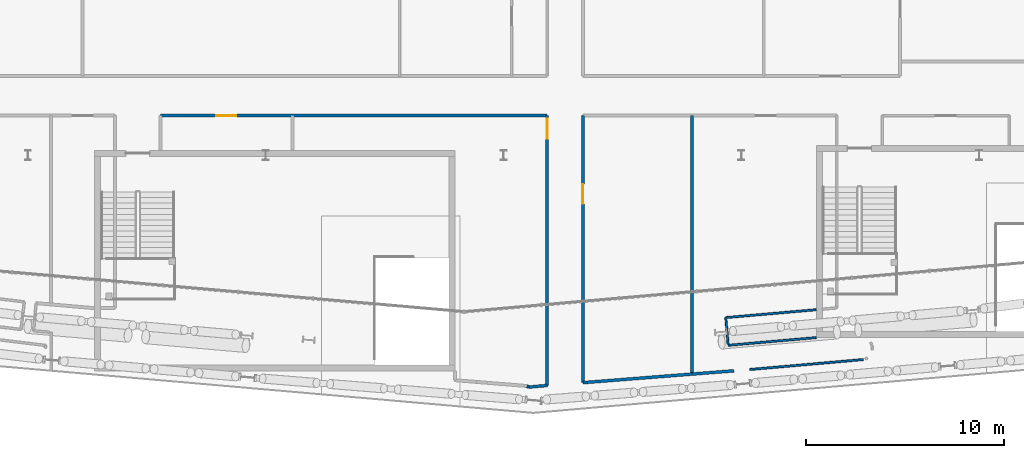
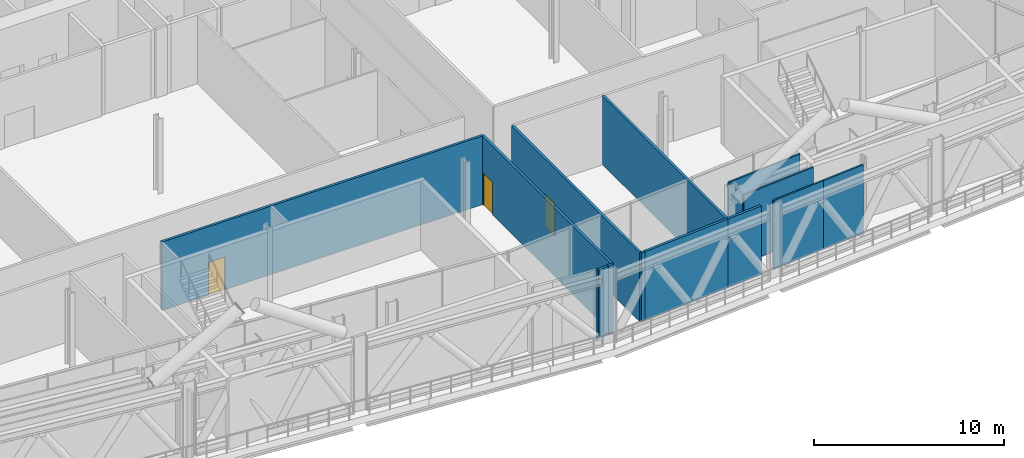
# One storey, part 17 of 42: 15 walls, 3 doors, 3 openings.
"""IFC4 building model written with IfcOpenShell, lengths in metres."""

import ifcopenshell
import ifcopenshell.guid

model = None  # the IFC model being written
_history = None  # IfcOwnerHistory: only IFC2X3 demands one
_inside = {}  # id of a spatial element -> (the spatial element, [elements in it])
_under = {}  # id of a project, library or spatial element -> (it, [spatial elements below it])
_declared = {}  # id of a project -> (the project, [libraries it declares])
_typed = {}  # id of a type object -> (the type object, [elements of that type])
_made_of = {}  # id of a material, layer set ... -> (it, [elements and type objects made of it])


def new_model(schema):
    """Start an empty IFC model of exactly this schema.

    Asked for "IFC4X3", IfcOpenShell would pick the latest addendum, in which some entities
    have other attributes; the version numbers below select the first issue.
    IFC2X3 requires an IfcOwnerHistory on every rooted entity: one is made here for all.
    """
    global model, _history
    if schema == "IFC4X3":
        model = ifcopenshell.file(schema_version=(4, 3, 0, 0))
    else:
        model = ifcopenshell.file(schema=schema)
    _inside.clear()
    _under.clear()
    _declared.clear()
    _typed.clear()
    _made_of.clear()
    _history = None
    if model.schema == "IFC2X3":
        org = make("IfcOrganization", Name="unknown")
        user = make(
            "IfcPersonAndOrganization",
            ThePerson=make("IfcPerson", FamilyName="unknown"),
            TheOrganization=org,
        )
        app = make(
            "IfcApplication",
            ApplicationDeveloper=org,
            Version="unknown",
            ApplicationFullName="unknown",
            ApplicationIdentifier="unknown",
        )
        _history = make(
            "IfcOwnerHistory",
            OwningUser=user,
            OwningApplication=app,
            ChangeAction="ADDED",
            CreationDate=0,
        )
    return model


def make(cls, **values):
    """One entity of the class cls with the attributes given. An attribute that is None is left unset."""
    return model.create_entity(
        cls, **{name: value for name, value in values.items() if value is not None}
    )


def rooted(cls, **values):
    """An entity with a GlobalId (a new one), such as an element, a storey or a relation."""
    return make(cls, GlobalId=ifcopenshell.guid.new(), OwnerHistory=_history, **values)


def si_unit(unit_type, name, prefix=None):
    """IfcSIUnit, for example si_unit("LENGTHUNIT", "METRE", prefix="MILLI")."""
    return make("IfcSIUnit", UnitType=unit_type, Prefix=prefix, Name=name)


def assignment(units):
    """IfcUnitAssignment: the units of a project."""
    return None if units is None else make("IfcUnitAssignment", Units=units)


def point(xyz):
    """IfcCartesianPoint."""
    return None if xyz is None else make("IfcCartesianPoint", Coordinates=xyz)


def direction(xyz):
    """IfcDirection."""
    return None if xyz is None else make("IfcDirection", DirectionRatios=xyz)


def frame(location, z_axis=None, x_axis=None):
    """IfcAxis2Placement3D, a coordinate frame: its origin and axes. An axis left out is left unset."""
    return make(
        "IfcAxis2Placement3D",
        Location=point(location),
        Axis=direction(z_axis),
        RefDirection=direction(x_axis),
    )


def frame_2d(location, x_axis=None):
    """IfcAxis2Placement2D, a coordinate frame in the plane: its origin and x axis."""
    return make(
        "IfcAxis2Placement2D", Location=point(location), RefDirection=direction(x_axis)
    )


def origin():
    """The frame at (0, 0, 0) with its axes left unset."""
    return frame((0.0, 0.0, 0.0))


def place(relative_to, where):
    """IfcLocalPlacement: puts the frame where relative to a parent placement (None: the world)."""
    return make(
        "IfcLocalPlacement", PlacementRelTo=relative_to, RelativePlacement=where
    )


def context(
    kind, dimensions, precision=None, world=None, true_north=None, identifier=None
):
    """IfcGeometricRepresentationContext, for example the 3D "Model" context."""
    return make(
        "IfcGeometricRepresentationContext",
        ContextIdentifier=identifier,
        ContextType=kind,
        CoordinateSpaceDimension=dimensions,
        Precision=precision,
        WorldCoordinateSystem=world,
        TrueNorth=true_north,
    )


def subcontext(parent, identifier, kind, view, scale=None):
    """IfcGeometricRepresentationSubContext, for example "Body" below "Model"."""
    return make(
        "IfcGeometricRepresentationSubContext",
        ContextIdentifier=identifier,
        ContextType=kind,
        ParentContext=parent,
        TargetScale=scale,
        TargetView=view,
    )


def project(units=None, contexts=None):
    """IfcProject with its units and contexts."""
    return rooted(
        "IfcProject",
        Name="project",
        RepresentationContexts=contexts,
        UnitsInContext=assignment(units),
    )


def spatial(cls, under=None, at=None, **own):
    """A site, building, storey or space (cls), placed at a placement, below another one or the project."""
    s = rooted(cls, ObjectPlacement=at, **own)
    if under is not None:
        _under.setdefault(under.id(), (under, []))[1].append(s)
    return s


def profile(cls, at=None, kind="AREA", **sizes):
    """A parametric profile (cls). Its sizes go by their IFC names, for example OverallWidth=200.0."""
    return make(cls, ProfileType=kind, Position=at, **sizes)


def rectangle(**sizes):
    """IfcRectangleProfileDef."""
    return profile("IfcRectangleProfileDef", **sizes)


def extrude(swept, where, along, depth):
    """IfcExtrudedAreaSolid: the profile swept, set in the frame where, extruded along a direction by depth."""
    return make(
        "IfcExtrudedAreaSolid",
        SweptArea=swept,
        Position=where,
        ExtrudedDirection=direction(along),
        Depth=depth,
    )


def shape(context_of_items, identifier, shape_type, items):
    """IfcShapeRepresentation: the items that make up one representation, for example the "Body"."""
    return make(
        "IfcShapeRepresentation",
        ContextOfItems=context_of_items,
        RepresentationIdentifier=identifier,
        RepresentationType=shape_type,
        Items=items,
    )


def material(Name=None, Category=None):
    """IfcMaterial."""
    return make("IfcMaterial", Name=Name, Category=Category)


def layer(
    of_material, thickness, ventilated=None, Name=None, Category=None, Priority=None
):
    """IfcMaterialLayer: one layer of a wall or slab, of a material (None: an air gap)."""
    return make(
        "IfcMaterialLayer",
        Material=of_material,
        LayerThickness=thickness,
        IsVentilated=ventilated,
        Name=Name,
        Category=Category,
        Priority=Priority,
    )


def layer_set(layers, Name=None):
    """IfcMaterialLayerSet."""
    return make("IfcMaterialLayerSet", MaterialLayers=layers, LayerSetName=Name)


def made_of(thing, what):
    """Note that an element or type object is made of a material, layer set ...; save() writes the relation."""
    if what is not None:
        _made_of.setdefault(what.id(), (what, []))[1].append(thing)
    return thing


def type_object(cls, material=None, **own):
    """A type object (cls), such as IfcWallType, which elements share."""
    return made_of(rooted(cls, **own), material)


def element(
    cls,
    number,
    at=None,
    inside=None,
    cuts=None,
    type_object=None,
    material=None,
    context=None,
    identifier="Body",
    shape_type=None,
    held_by="IfcProductDefinitionShape",
    body=None,
    shapes=None,
    **own,
):
    """One element of the class cls, such as IfcWall. Its Tag is "e" and its number.

    at: its placement. inside: the storey or other place that contains it. cuts: it is an
    opening in that element (IfcRelVoidsElement). A single representation is given by context,
    identifier, shape_type and body (its items); several are given by shapes. held_by: the class
    of the entity that holds the representations. save() writes the other relations.
    """
    e = rooted(cls, Tag="e%d" % number, ObjectPlacement=at, **own)
    if body is not None:
        shapes = [shape(context, identifier, shape_type, body)]
    if shapes is not None:
        e.Representation = make(held_by, Representations=shapes)
    if inside is not None:
        _inside.setdefault(inside.id(), (inside, []))[1].append(e)
    if cuts is not None:
        rooted(
            "IfcRelVoidsElement", RelatingBuildingElement=cuts, RelatedOpeningElement=e
        )
    if type_object is not None:
        _typed.setdefault(type_object.id(), (type_object, []))[1].append(e)
    return made_of(e, material)


def fill(opening, filler):
    """IfcRelFillsElement: the door or window that sits in an opening."""
    return rooted(
        "IfcRelFillsElement",
        RelatingOpeningElement=opening,
        RelatedBuildingElement=filler,
    )


def aggregate(whole, parts):
    """IfcRelAggregates: a whole, such as a stair, and the parts it consists of."""
    return rooted("IfcRelAggregates", RelatingObject=whole, RelatedObjects=parts)


def save(model, path):
    """Write the relations noted so far, then the file.

    IfcRelAggregates (storeys below a building ...), IfcRelContainedInSpatialStructure (elements
    in a storey), IfcRelDefinesByType, IfcRelAssociatesMaterial and IfcRelDeclares: one each for
    every whole, place, type object, material and project.
    """
    for whole, parts in _under.values():
        aggregate(whole, parts)
    for where, things in _inside.values():
        rooted(
            "IfcRelContainedInSpatialStructure",
            RelatedElements=things,
            RelatingStructure=where,
        )
    for kind, things in _typed.values():
        rooted("IfcRelDefinesByType", RelatedObjects=things, RelatingType=kind)
    for what, things in _made_of.values():
        rooted("IfcRelAssociatesMaterial", RelatedObjects=things, RelatingMaterial=what)
    for by, libraries in _declared.values():
        rooted("IfcRelDeclares", RelatingContext=by, RelatedDefinitions=libraries)
    model.write(path)


model = new_model("IFC4")

# Units and contexts
model_context = context("Model", 3, precision=1e-05, world=origin(), true_north=direction((0.0, 1.0)))
body_context = subcontext(model_context, "Body", "Model", "MODEL_VIEW")
ifc_project = project(units=[si_unit("LENGTHUNIT", "METRE"), si_unit("AREAUNIT", "SQUARE_METRE"), si_unit("VOLUMEUNIT", "CUBIC_METRE"), si_unit("PLANEANGLEUNIT", "RADIAN"), si_unit("MASSUNIT", "GRAM", prefix="KILO")], contexts=[model_context])

# Site, building, storey
site_placement = place(None, origin())
site = spatial("IfcSite", under=ifc_project, at=site_placement, CompositionType="ELEMENT")
building_placement = place(site_placement, origin())
building = spatial("IfcBuilding", under=site, at=building_placement, Name="Wharfspan Tower", CompositionType="ELEMENT")
storey_placement = place(building_placement, frame((0.0, 0.0, 147.100098)))
storey = spatial("IfcBuildingStorey", under=building, at=storey_placement, Name="L35", CompositionType="ELEMENT", Elevation=147.100098)

# Walls
ifc_material_1 = material(Name="Gypsum board on steel studs", Category="steel")
ifc_layer_1 = layer(ifc_material_1, 0.100098)
ifc_layer_set_1 = layer_set([ifc_layer_1], Name="Gypsum board on steel studs")
wall_type_1 = type_object("IfcWallType", Name="Partition 100", PredefinedType="PARTITIONING", material=ifc_layer_set_1)
wall_1_placement = place(storey_placement, frame((59.209961, 3.300049, 0.0), z_axis=(0.0, 0.0, 1.0), x_axis=(0.996195, 0.087113, 0.0)))
element("IfcWall", 1, at=wall_1_placement, inside=storey, type_object=wall_type_1, Name="Partition L35.w057", PredefinedType="PARTITIONING", context=body_context, shape_type="SweptSolid", body=[
    extrude(rectangle(XDim=4.57373, YDim=0.100098, at=frame_2d((2.286865, 0.0))), origin(), (0.0, 0.0, 1.0), 4.399902),
])
wall_2_placement = place(storey_placement, frame((59.32666, 1.948242, 0.0), z_axis=(0.0, 0.0, 1.0), x_axis=(-0.087221, 0.996193, 0.0)))
element("IfcWall", 2, at=wall_2_placement, inside=storey, type_object=wall_type_1, Name="Partition L35.w058", PredefinedType="PARTITIONING", context=body_context, shape_type="SweptSolid", body=[
    extrude(rectangle(XDim=1.354736, YDim=0.100098, at=frame_2d((0.677246, 0.0))), origin(), (0.0, 0.0, 1.0), 4.399902),
])
wall_3_placement = place(storey_placement, frame((59.330566, 1.90332, 0.0), z_axis=(0.0, 0.0, 1.0), x_axis=(0.996196, 0.087174, 0.0)))
element("IfcWall", 3, at=wall_3_placement, inside=storey, type_object=wall_type_1, Name="Partition L35.w059", PredefinedType="PARTITIONING", context=body_context, shape_type="SweptSolid", body=[
    extrude(rectangle(XDim=4.452881, YDim=0.100098, at=frame_2d((2.226562, 0.0))), origin(), (0.0, 0.0, 1.0), 4.399902),
])
wall_4_placement = place(storey_placement, frame((60.422363, 0.682129, 0.0), z_axis=(0.0, 0.0, 1.0), x_axis=(0.996194, 0.087143, 0.0)))
element("IfcWall", 4, at=wall_4_placement, inside=storey, type_object=wall_type_1, Name="Partition L35.w060", PredefinedType="PARTITIONING", context=body_context, shape_type="SweptSolid", body=[
    extrude(rectangle(XDim=3.179932, YDim=0.100098, at=frame_2d((1.589844, 0.0))), origin(), (0.0, 0.0, 1.0), 4.399902),
])
wall_5_placement = place(storey_placement, frame((63.590088, 0.959229, 0.0), z_axis=(0.0, 0.0, 1.0), x_axis=(0.996132, 0.08788, 0.0)))
element("IfcWall", 5, at=wall_5_placement, inside=storey, type_object=wall_type_1, Name="Partition L35.w065", PredefinedType="PARTITIONING", context=body_context, shape_type="SweptSolid", body=[
    extrude(rectangle(XDim=2.569824, YDim=0.100098, at=frame_2d((1.284912, 0.0))), origin(), (0.0, 0.0, 1.0), 4.399902),
])

# Wall, opening, door
ifc_layer_2 = layer(ifc_material_1, 0.149902)
ifc_layer_set_2 = layer_set([ifc_layer_2], Name="Gypsum board on steel studs")
wall_type_2 = type_object("IfcWallType", Name="Plant room wall 150 EI 120", PredefinedType="PARTITIONING", material=ifc_layer_set_2)
wall_6_placement = place(storey_placement, frame((30.689941, 13.48999, 0.0), z_axis=(0.0, 0.0, 1.0), x_axis=(1.0, 0.0, 0.0)))
wall_6 = element("IfcWall", 6, at=wall_6_placement, inside=storey, type_object=wall_type_2, Name="Partition L35.w032", PredefinedType="PARTITIONING", context=body_context, shape_type="SweptSolid", body=[
    extrude(rectangle(XDim=19.51001, YDim=0.149902, at=frame_2d((9.754883, 0.0))), origin(), (0.0, 0.0, 1.0), 4.399902),
])
opening_1_placement = place(wall_6_placement, frame((2.820801, 0.0, 0.0)))
opening_1 = element("IfcOpeningElement", 7, at=opening_1_placement, cuts=wall_6, Name="Opening BB-05", PredefinedType="OPENING", context=body_context, shape_type="SweptSolid", body=[
    extrude(rectangle(XDim=1.0, YDim=2.100098, at=frame_2d((0.5, 1.050049))), frame((0.0, 0.084961, 0.0), z_axis=(0.0, -1.0, 0.0), x_axis=(1.0, 0.0, 0.0)), (0.0, 0.0, 1.0), 0.169922),
])
ifc_material_2 = material(Name="Fire-rated timber door leaf in steel frame", Category="steel")
door_type_1 = type_object("IfcDoorType", Name="Door 1000 FD60 Left", OperationType="SINGLE_SWING_LEFT", PredefinedType="DOOR", material=ifc_material_2)
door_1_placement = place(opening_1_placement, origin())
door_1 = element("IfcDoor", 8, at=door_1_placement, inside=storey, type_object=door_type_1, Name="Door BB-05", OperationType="SINGLE_SWING_LEFT", OverallHeight=2.100098, OverallWidth=1.0, PredefinedType="DOOR", context=body_context, shape_type="SweptSolid", body=[
    extrude(rectangle(XDim=1.0, YDim=2.100098, at=frame_2d((0.5, 1.050049))), frame((0.0, 0.024902, 0.0), z_axis=(0.0, -1.0, 0.0), x_axis=(1.0, 0.0, 0.0)), (0.0, 0.0, 1.0), 0.050049),
])
fill(opening_1, door_1)

# Walls
wall_7_placement = place(storey_placement, frame((49.280029, -0.205078, 0.0), z_axis=(0.0, 0.0, 1.0), x_axis=(-0.884675, 0.466217, 0.0)))
element("IfcWall", 9, at=wall_7_placement, inside=storey, type_object=wall_type_2, Name="Partition L35.w043", PredefinedType="PARTITIONING", context=body_context, shape_type="SweptSolid", body=[
    extrude(rectangle(XDim=0.107422, YDim=0.149902, at=frame_2d((0.053711, 0.0))), origin(), (0.0, 0.0, 1.0), 4.399902),
])
wall_8_placement = place(storey_placement, frame((49.280029, -0.205078, 0.0), z_axis=(0.0, 0.0, 1.0), x_axis=(0.995928, 0.090104, 0.0)))
element("IfcWall", 10, at=wall_8_placement, inside=storey, type_object=wall_type_2, Name="Partition L35.w044", PredefinedType="PARTITIONING", context=body_context, shape_type="SweptSolid", body=[
    extrude(rectangle(XDim=0.612305, YDim=0.149902, at=frame_2d((0.306152, 0.0))), origin(), (0.0, 0.0, 1.0), 4.399902),
])
wall_9_placement = place(storey_placement, frame((49.889893, -0.149902, 0.0), z_axis=(0.0, 0.0, 1.0), x_axis=(0.996788, 0.080057, 0.0)))
element("IfcWall", 11, at=wall_9_placement, inside=storey, type_object=wall_type_2, Name="Partition L35.w045", PredefinedType="PARTITIONING", context=body_context, shape_type="SweptSolid", body=[
    extrude(rectangle(XDim=0.311035, YDim=0.149902, at=frame_2d((0.155518, 0.0))), origin(), (0.0, 0.0, 1.0), 4.399902),
])

# Wall, opening, door
wall_10_placement = place(storey_placement, frame((50.199951, -0.125, 0.0), z_axis=(0.0, 0.0, 1.0), x_axis=(0.0, 1.0, 0.0)))
wall_10 = element("IfcWall", 12, at=wall_10_placement, inside=storey, type_object=wall_type_2, Name="Partition L35.w047", PredefinedType="PARTITIONING", context=body_context, shape_type="SweptSolid", body=[
    extrude(rectangle(XDim=13.61499, YDim=0.149902, at=frame_2d((6.807617, 0.0))), origin(), (0.0, 0.0, 1.0), 4.399902),
])
opening_2_placement = place(wall_10_placement, frame((12.458984, 0.0, 0.0)))
opening_2 = element("IfcOpeningElement", 13, at=opening_2_placement, cuts=wall_10, Name="Opening BB-02", PredefinedType="OPENING", context=body_context, shape_type="SweptSolid", body=[
    extrude(rectangle(XDim=1.0, YDim=2.100098, at=frame_2d((0.5, 1.050049))), frame((0.0, 0.084961, 0.0), z_axis=(0.0, -1.0, 0.0), x_axis=(1.0, 0.0, 0.0)), (0.0, 0.0, 1.0), 0.169922),
])
door_type_2 = type_object("IfcDoorType", Name="Door 1000 FD60 Right", OperationType="SINGLE_SWING_RIGHT", PredefinedType="DOOR", material=ifc_material_2)
door_2_placement = place(opening_2_placement, origin())
door_2 = element("IfcDoor", 14, at=door_2_placement, inside=storey, type_object=door_type_2, Name="Door BB-02", OperationType="SINGLE_SWING_RIGHT", OverallHeight=2.100098, OverallWidth=1.0, PredefinedType="DOOR", context=body_context, shape_type="SweptSolid", body=[
    extrude(rectangle(XDim=1.0, YDim=2.100098, at=frame_2d((0.5, 1.050049))), frame((0.0, 0.024902, 0.0), z_axis=(0.0, -1.0, 0.0), x_axis=(1.0, 0.0, 0.0)), (0.0, 0.0, 1.0), 0.050049),
])
fill(opening_2, door_2)

wall_11_placement = place(storey_placement, frame((52.0, 0.015137, 0.0), z_axis=(0.0, 0.0, 1.0), x_axis=(0.0, 1.0, 0.0)))
wall_11 = element("IfcWall", 15, at=wall_11_placement, inside=storey, type_object=wall_type_2, Name="Partition L35.w048", PredefinedType="PARTITIONING", context=body_context, shape_type="SweptSolid", body=[
    extrude(rectangle(XDim=13.474854, YDim=0.149902, at=frame_2d((6.737305, 0.0))), origin(), (0.0, 0.0, 1.0), 4.399902),
])
opening_3_placement = place(wall_11_placement, frame((9.019775, 0.0, 0.0)))
opening_3 = element("IfcOpeningElement", 16, at=opening_3_placement, cuts=wall_11, Name="Opening BB-01", PredefinedType="OPENING", context=body_context, shape_type="SweptSolid", body=[
    extrude(rectangle(XDim=1.0, YDim=2.100098, at=frame_2d((0.5, 1.050049))), frame((0.0, 0.084961, 0.0), z_axis=(0.0, -1.0, 0.0), x_axis=(1.0, 0.0, 0.0)), (0.0, 0.0, 1.0), 0.169922),
])
door_3_placement = place(opening_3_placement, origin())
door_3 = element("IfcDoor", 17, at=door_3_placement, inside=storey, type_object=door_type_2, Name="Door BB-01", OperationType="SINGLE_SWING_RIGHT", OverallHeight=2.100098, OverallWidth=1.0, PredefinedType="DOOR", context=body_context, shape_type="SweptSolid", body=[
    extrude(rectangle(XDim=1.0, YDim=2.100098, at=frame_2d((0.5, 1.050049))), frame((0.0, 0.024902, 0.0), z_axis=(0.0, -1.0, 0.0), x_axis=(1.0, 0.0, 0.0)), (0.0, 0.0, 1.0), 0.050049),
])
fill(opening_3, door_3)

# Walls
wall_12_placement = place(storey_placement, frame((52.008789, 0.015869, 0.0), z_axis=(0.0, 0.0, 1.0), x_axis=(0.99631, 0.085775, 0.0)))
element("IfcWall", 18, at=wall_12_placement, inside=storey, type_object=wall_type_2, Name="Partition L35.w053", PredefinedType="PARTITIONING", context=body_context, shape_type="SweptSolid", body=[
    extrude(rectangle(XDim=0.221924, YDim=0.149902, at=frame_2d((0.11084, 0.0))), origin(), (0.0, 0.0, 1.0), 4.399902),
])
wall_13_placement = place(storey_placement, frame((52.22998, 0.034912, 0.0), z_axis=(0.0, 0.0, 1.0), x_axis=(0.996917, 0.078512, 0.0)))
element("IfcWall", 19, at=wall_13_placement, inside=storey, type_object=wall_type_2, Name="Partition L35.w054", PredefinedType="PARTITIONING", context=body_context, shape_type="SweptSolid", body=[
    extrude(rectangle(XDim=5.286377, YDim=0.149902, at=frame_2d((2.643066, 0.0))), origin(), (0.0, 0.0, 1.0), 4.399902),
])
wall_14_placement = place(storey_placement, frame((57.5, 0.449951, 0.0), z_axis=(0.0, 0.0, 1.0), x_axis=(0.996965, 0.077796, 0.0)))
element("IfcWall", 20, at=wall_14_placement, inside=storey, type_object=wall_type_2, Name="Partition L35.w055", PredefinedType="PARTITIONING", context=body_context, shape_type="SweptSolid", body=[
    extrude(rectangle(XDim=2.121338, YDim=0.149902, at=frame_2d((1.060547, 0.0))), origin(), (0.0, 0.0, 1.0), 4.399902),
])
wall_15_placement = place(storey_placement, frame((57.5, 0.449951, 0.0), z_axis=(0.0, 0.0, 1.0), x_axis=(0.0, 1.0, 0.0)))
element("IfcWall", 21, at=wall_15_placement, inside=storey, type_object=wall_type_2, Name="Partition L35.w056", PredefinedType="PARTITIONING", context=body_context, shape_type="SweptSolid", body=[
    extrude(rectangle(XDim=13.040039, YDim=0.149902, at=frame_2d((6.52002, 0.0))), origin(), (0.0, 0.0, 1.0), 4.399902),
])

save(model, "model.ifc")
